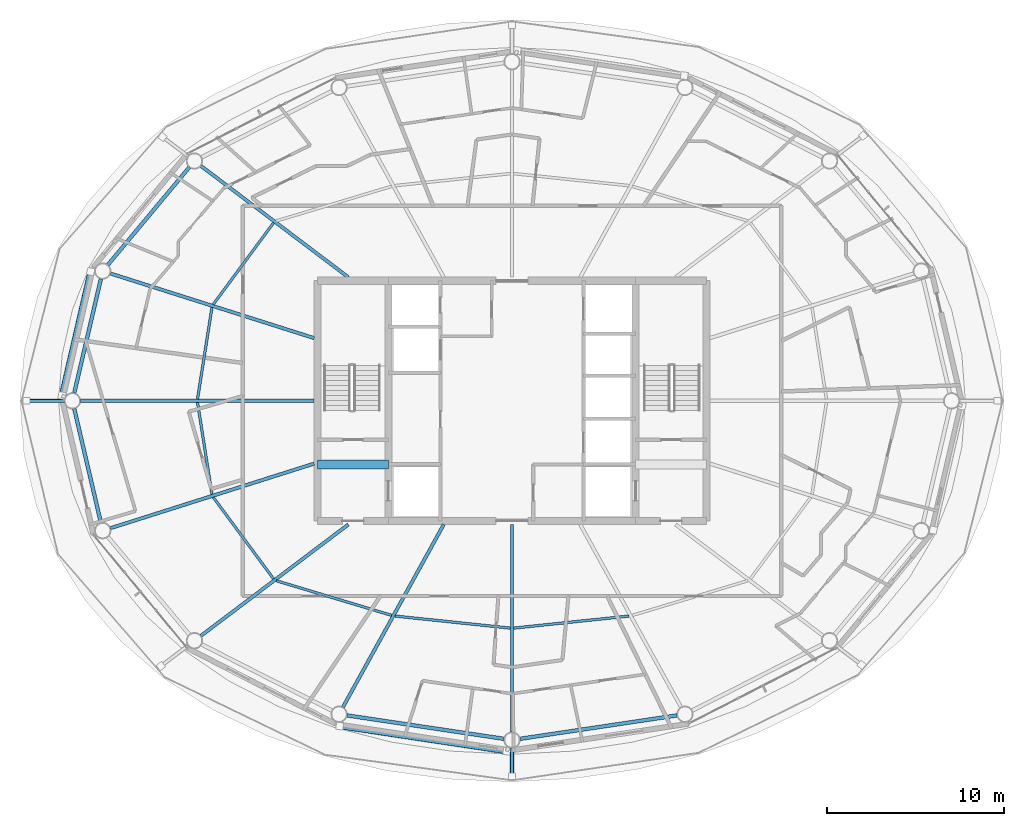
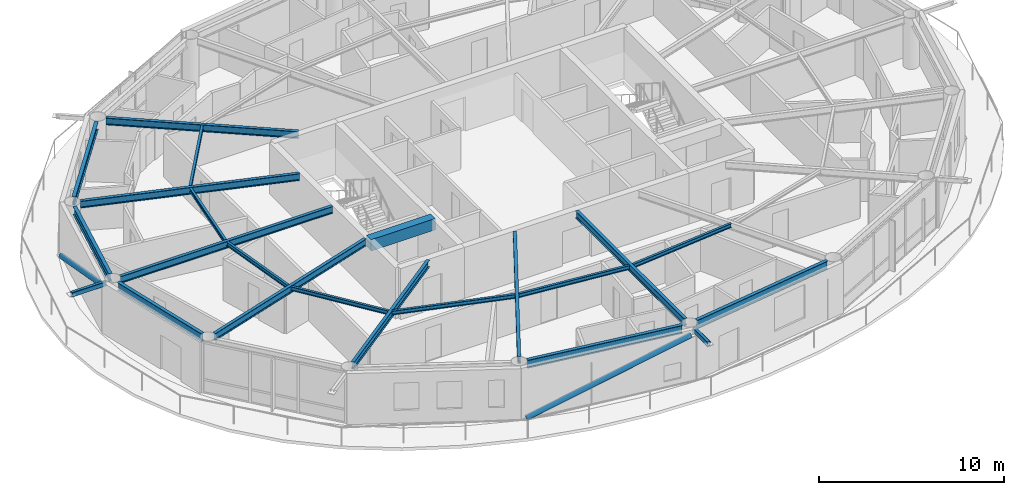
# One storey, part 4 of 23: 20 beams, 4 members.
"""IFC4 building model written with IfcOpenShell, lengths in metres."""

import ifcopenshell
import ifcopenshell.guid

model = None  # the IFC model being written
_history = None  # IfcOwnerHistory: only IFC2X3 demands one
_inside = {}  # id of a spatial element -> (the spatial element, [elements in it])
_under = {}  # id of a project, library or spatial element -> (it, [spatial elements below it])
_declared = {}  # id of a project -> (the project, [libraries it declares])
_typed = {}  # id of a type object -> (the type object, [elements of that type])
_made_of = {}  # id of a material, layer set ... -> (it, [elements and type objects made of it])


def new_model(schema):
    """Start an empty IFC model of exactly this schema.

    Asked for "IFC4X3", IfcOpenShell would pick the latest addendum, in which some entities
    have other attributes; the version numbers below select the first issue.
    IFC2X3 requires an IfcOwnerHistory on every rooted entity: one is made here for all.
    """
    global model, _history
    if schema == "IFC4X3":
        model = ifcopenshell.file(schema_version=(4, 3, 0, 0))
    else:
        model = ifcopenshell.file(schema=schema)
    _inside.clear()
    _under.clear()
    _declared.clear()
    _typed.clear()
    _made_of.clear()
    _history = None
    if model.schema == "IFC2X3":
        org = make("IfcOrganization", Name="unknown")
        user = make(
            "IfcPersonAndOrganization",
            ThePerson=make("IfcPerson", FamilyName="unknown"),
            TheOrganization=org,
        )
        app = make(
            "IfcApplication",
            ApplicationDeveloper=org,
            Version="unknown",
            ApplicationFullName="unknown",
            ApplicationIdentifier="unknown",
        )
        _history = make(
            "IfcOwnerHistory",
            OwningUser=user,
            OwningApplication=app,
            ChangeAction="ADDED",
            CreationDate=0,
        )
    return model


def make(cls, **values):
    """One entity of the class cls with the attributes given. An attribute that is None is left unset."""
    return model.create_entity(
        cls, **{name: value for name, value in values.items() if value is not None}
    )


def rooted(cls, **values):
    """An entity with a GlobalId (a new one), such as an element, a storey or a relation."""
    return make(cls, GlobalId=ifcopenshell.guid.new(), OwnerHistory=_history, **values)


def si_unit(unit_type, name, prefix=None):
    """IfcSIUnit, for example si_unit("LENGTHUNIT", "METRE", prefix="MILLI")."""
    return make("IfcSIUnit", UnitType=unit_type, Prefix=prefix, Name=name)


def assignment(units):
    """IfcUnitAssignment: the units of a project."""
    return None if units is None else make("IfcUnitAssignment", Units=units)


def point(xyz):
    """IfcCartesianPoint."""
    return None if xyz is None else make("IfcCartesianPoint", Coordinates=xyz)


def direction(xyz):
    """IfcDirection."""
    return None if xyz is None else make("IfcDirection", DirectionRatios=xyz)


def frame(location, z_axis=None, x_axis=None):
    """IfcAxis2Placement3D, a coordinate frame: its origin and axes. An axis left out is left unset."""
    return make(
        "IfcAxis2Placement3D",
        Location=point(location),
        Axis=direction(z_axis),
        RefDirection=direction(x_axis),
    )


def frame_2d(location, x_axis=None):
    """IfcAxis2Placement2D, a coordinate frame in the plane: its origin and x axis."""
    return make(
        "IfcAxis2Placement2D", Location=point(location), RefDirection=direction(x_axis)
    )


def origin():
    """The frame at (0, 0, 0) with its axes left unset."""
    return frame((0.0, 0.0, 0.0))


def origin_2d():
    """The frame at (0, 0) in the plane with its x axis left unset."""
    return frame_2d((0.0, 0.0))


def place(relative_to, where):
    """IfcLocalPlacement: puts the frame where relative to a parent placement (None: the world)."""
    return make(
        "IfcLocalPlacement", PlacementRelTo=relative_to, RelativePlacement=where
    )


def context(
    kind, dimensions, precision=None, world=None, true_north=None, identifier=None
):
    """IfcGeometricRepresentationContext, for example the 3D "Model" context."""
    return make(
        "IfcGeometricRepresentationContext",
        ContextIdentifier=identifier,
        ContextType=kind,
        CoordinateSpaceDimension=dimensions,
        Precision=precision,
        WorldCoordinateSystem=world,
        TrueNorth=true_north,
    )


def subcontext(parent, identifier, kind, view, scale=None):
    """IfcGeometricRepresentationSubContext, for example "Body" below "Model"."""
    return make(
        "IfcGeometricRepresentationSubContext",
        ContextIdentifier=identifier,
        ContextType=kind,
        ParentContext=parent,
        TargetScale=scale,
        TargetView=view,
    )


def project(units=None, contexts=None):
    """IfcProject with its units and contexts."""
    return rooted(
        "IfcProject",
        Name="project",
        RepresentationContexts=contexts,
        UnitsInContext=assignment(units),
    )


def spatial(cls, under=None, at=None, **own):
    """A site, building, storey or space (cls), placed at a placement, below another one or the project."""
    s = rooted(cls, ObjectPlacement=at, **own)
    if under is not None:
        _under.setdefault(under.id(), (under, []))[1].append(s)
    return s


def profile(cls, at=None, kind="AREA", **sizes):
    """A parametric profile (cls). Its sizes go by their IFC names, for example OverallWidth=200.0."""
    return make(cls, ProfileType=kind, Position=at, **sizes)


def rectangle(**sizes):
    """IfcRectangleProfileDef."""
    return profile("IfcRectangleProfileDef", **sizes)


def hollow_rectangle(**sizes):
    """IfcRectangleHollowProfileDef."""
    return profile("IfcRectangleHollowProfileDef", **sizes)


def hollow_circle(**sizes):
    """IfcCircleHollowProfileDef."""
    return profile("IfcCircleHollowProfileDef", **sizes)


def i_section(**sizes):
    """IfcIShapeProfileDef."""
    return profile("IfcIShapeProfileDef", **sizes)


def extrude(swept, where, along, depth):
    """IfcExtrudedAreaSolid: the profile swept, set in the frame where, extruded along a direction by depth."""
    return make(
        "IfcExtrudedAreaSolid",
        SweptArea=swept,
        Position=where,
        ExtrudedDirection=direction(along),
        Depth=depth,
    )


def shape(context_of_items, identifier, shape_type, items):
    """IfcShapeRepresentation: the items that make up one representation, for example the "Body"."""
    return make(
        "IfcShapeRepresentation",
        ContextOfItems=context_of_items,
        RepresentationIdentifier=identifier,
        RepresentationType=shape_type,
        Items=items,
    )


def material(Name=None, Category=None):
    """IfcMaterial."""
    return make("IfcMaterial", Name=Name, Category=Category)


def material_profile(
    of_material, cross_section, Name=None, Category=None, Priority=None
):
    """IfcMaterialProfile: a cross section and its material."""
    return make(
        "IfcMaterialProfile",
        Name=Name,
        Material=of_material,
        Profile=cross_section,
        Priority=Priority,
        Category=Category,
    )


def profile_set(profiles, Name=None, composite=None):
    """IfcMaterialProfileSet."""
    return make(
        "IfcMaterialProfileSet",
        Name=Name,
        MaterialProfiles=profiles,
        CompositeProfile=composite,
    )


def made_of(thing, what):
    """Note that an element or type object is made of a material, layer set ...; save() writes the relation."""
    if what is not None:
        _made_of.setdefault(what.id(), (what, []))[1].append(thing)
    return thing


def type_object(cls, material=None, **own):
    """A type object (cls), such as IfcWallType, which elements share."""
    return made_of(rooted(cls, **own), material)


def element(
    cls,
    number,
    at=None,
    inside=None,
    cuts=None,
    type_object=None,
    material=None,
    context=None,
    identifier="Body",
    shape_type=None,
    held_by="IfcProductDefinitionShape",
    body=None,
    shapes=None,
    **own,
):
    """One element of the class cls, such as IfcWall. Its Tag is "e" and its number.

    at: its placement. inside: the storey or other place that contains it. cuts: it is an
    opening in that element (IfcRelVoidsElement). A single representation is given by context,
    identifier, shape_type and body (its items); several are given by shapes. held_by: the class
    of the entity that holds the representations. save() writes the other relations.
    """
    e = rooted(cls, Tag="e%d" % number, ObjectPlacement=at, **own)
    if body is not None:
        shapes = [shape(context, identifier, shape_type, body)]
    if shapes is not None:
        e.Representation = make(held_by, Representations=shapes)
    if inside is not None:
        _inside.setdefault(inside.id(), (inside, []))[1].append(e)
    if cuts is not None:
        rooted(
            "IfcRelVoidsElement", RelatingBuildingElement=cuts, RelatedOpeningElement=e
        )
    if type_object is not None:
        _typed.setdefault(type_object.id(), (type_object, []))[1].append(e)
    return made_of(e, material)


def aggregate(whole, parts):
    """IfcRelAggregates: a whole, such as a stair, and the parts it consists of."""
    return rooted("IfcRelAggregates", RelatingObject=whole, RelatedObjects=parts)


def save(model, path):
    """Write the relations noted so far, then the file.

    IfcRelAggregates (storeys below a building ...), IfcRelContainedInSpatialStructure (elements
    in a storey), IfcRelDefinesByType, IfcRelAssociatesMaterial and IfcRelDeclares: one each for
    every whole, place, type object, material and project.
    """
    for whole, parts in _under.values():
        aggregate(whole, parts)
    for where, things in _inside.values():
        rooted(
            "IfcRelContainedInSpatialStructure",
            RelatedElements=things,
            RelatingStructure=where,
        )
    for kind, things in _typed.values():
        rooted("IfcRelDefinesByType", RelatedObjects=things, RelatingType=kind)
    for what, things in _made_of.values():
        rooted("IfcRelAssociatesMaterial", RelatedObjects=things, RelatingMaterial=what)
    for by, libraries in _declared.values():
        rooted("IfcRelDeclares", RelatingContext=by, RelatedDefinitions=libraries)
    model.write(path)


model = new_model("IFC4")

# Units and contexts
model_context = context("Model", 3, precision=1e-05, world=origin(), true_north=direction((0.0, 1.0)))
body_context = subcontext(model_context, "Body", "Model", "MODEL_VIEW")
ifc_project = project(units=[si_unit("LENGTHUNIT", "METRE"), si_unit("AREAUNIT", "SQUARE_METRE"), si_unit("VOLUMEUNIT", "CUBIC_METRE"), si_unit("PLANEANGLEUNIT", "RADIAN"), si_unit("MASSUNIT", "GRAM", prefix="KILO")], contexts=[model_context])

# Site, building, storey
site_placement = place(None, origin())
site = spatial("IfcSite", under=ifc_project, at=site_placement, CompositionType="ELEMENT")
building_placement = place(site_placement, origin())
building = spatial("IfcBuilding", under=site, at=building_placement, Name="Sarneth Arch Tower", CompositionType="ELEMENT")
storey_placement = place(building_placement, frame((0.0, 0.0, 228.0)))
storey = spatial("IfcBuildingStorey", under=building, at=storey_placement, Name="L58", CompositionType="ELEMENT", Elevation=228.0)

# Beams
ifc_material_1 = material(Name="Steel S355", Category="steel")
ifc_material_profile_1 = material_profile(ifc_material_1, i_section(OverallWidth=0.14794921875, OverallDepth=0.26611328125, WebThickness=0.007568359375, FlangeThickness=0.012939453125, FilletRadius=0.012939453125, at=origin_2d()), Name="W250x44.8")
ifc_profile_set_1 = profile_set([ifc_material_profile_1], Name="Steel S355")
beam_type_1 = type_object("IfcBeamType", Name="BM-JOIST-250", PredefinedType="JOIST", material=ifc_profile_set_1)
beam_1_placement = place(storey_placement, frame((34.5009765625, 52.075439453125, 3.22705078125), z_axis=(-0.594557229879, -0.804053294501, 0.0), x_axis=(0.804053294501, -0.594557229879, 0.0)))
element("IfcBeam", 1, at=beam_1_placement, inside=storey, type_object=beam_type_1, Name="L58 Secondary floor joist 07", PredefinedType="JOIST", context=body_context, shape_type="SweptSolid", body=[
    extrude(i_section(OverallWidth=0.14794921875, OverallDepth=0.26611328125, WebThickness=0.007568359375, FlangeThickness=0.012939453125, FilletRadius=0.012939453125, at=origin_2d()), origin(), (0.0, 0.0, 1.0), 5.74169921875),
])
for number, where, z_axis, x_axis, name in (
    (2, (31.01513671875, 47.286865234375, 3.22705078125), (-0.155421095795, -0.987848309702, 0.0), (0.987848309702, -0.155421095795, 0.0), "L58 Secondary floor joist 08"),
    (3, (30.1982421875, 41.9052734375, 3.22705078125), (0.155421095795, -0.987848309702, 0.0), (0.987848309702, 0.155421095795, 0.0), "L58 Secondary floor joist 09"),
):
    element("IfcBeam", number, at=place(storey_placement, frame(where, z_axis=z_axis, x_axis=x_axis)), inside=storey, type_object=beam_type_1, Name=name, PredefinedType="JOIST", context=body_context, shape_type="SweptSolid", body=[
        extrude(i_section(OverallWidth=0.14794921875, OverallDepth=0.26611328125, WebThickness=0.007568359375, FlangeThickness=0.012939453125, FilletRadius=0.012939453125, at=origin_2d()), origin(), (0.0, 0.0, 1.0), 5.256103515625),
    ])
beam_2_placement = place(storey_placement, frame((31.087158203125, 36.541259765625, 3.22705078125), z_axis=(0.594557229879, -0.804053294501, 0.0), x_axis=(0.804053294501, 0.594557229879, 0.0)))
element("IfcBeam", 4, at=beam_2_placement, inside=storey, type_object=beam_type_1, Name="L58 Secondary floor joist 10", PredefinedType="JOIST", context=body_context, shape_type="SweptSolid", body=[
    extrude(i_section(OverallWidth=0.14794921875, OverallDepth=0.26611328125, WebThickness=0.007568359375, FlangeThickness=0.012939453125, FilletRadius=0.012939453125, at=origin_2d()), origin(), (0.0, 0.0, 1.0), 5.74169921875),
])
beam_3_placement = place(storey_placement, frame((34.64990234375, 31.81982421875, 3.22705078125), z_axis=(0.957725851155, -0.287682453461, 0.0), x_axis=(0.287682453461, 0.957725851155, 0.0)))
element("IfcBeam", 5, at=beam_3_placement, inside=storey, type_object=beam_type_1, Name="L58 Secondary floor joist 11", PredefinedType="JOIST", context=body_context, shape_type="SweptSolid", body=[
    extrude(i_section(OverallWidth=0.14794921875, OverallDepth=0.26611328125, WebThickness=0.007568359375, FlangeThickness=0.012939453125, FilletRadius=0.012939453125, at=origin_2d()), origin(), (0.0, 0.0, 1.0), 6.828125),
])
for number, where, z_axis, x_axis, name in (
    (6, (41.376953125, 29.81787109375, 3.22705078125), (0.994572713015, -0.104043829835, 0.0), (0.104043829835, 0.994572713015, 0.0), "L58 Secondary floor joist 12"),
    (7, (48.095458984375, 29.135009765625, 3.22705078125), (0.994572713015, 0.104043829835, 0.0), (-0.104043829835, 0.994572713015, 0.0), "L58 Secondary floor joist 13"),
):
    element("IfcBeam", number, at=place(storey_placement, frame(where, z_axis=z_axis, x_axis=x_axis)), inside=storey, type_object=beam_type_1, Name=name, PredefinedType="JOIST", context=body_context, shape_type="SweptSolid", body=[
        extrude(i_section(OverallWidth=0.14794921875, OverallDepth=0.26611328125, WebThickness=0.007568359375, FlangeThickness=0.012939453125, FilletRadius=0.012939453125, at=origin_2d()), origin(), (0.0, 0.0, 1.0), 6.563232421875),
    ])
ifc_material_2 = material(Name="Concrete C50/60", Category="concrete")
ifc_material_profile_2 = material_profile(ifc_material_2, rectangle(XDim=0.5, YDim=0.75, at=origin_2d()), Name="RC-500x750")
ifc_profile_set_2 = profile_set([ifc_material_profile_2], Name="Concrete C50/60")
beam_type_2 = type_object("IfcBeamType", Name="BM-LINTEL-RC", PredefinedType="LINTEL", material=ifc_profile_set_2)
beam_4_placement = place(storey_placement, frame((37.0, 38.39990234375, 2.985107421875), z_axis=(1.0, 0.0, 0.0), x_axis=(0.0, 1.0, 0.0)))
element("IfcBeam", 8, at=beam_4_placement, inside=storey, type_object=beam_type_2, Name="L58 Core coupling lintel W", PredefinedType="LINTEL", context=body_context, shape_type="SweptSolid", body=[
    extrude(rectangle(XDim=0.5, YDim=0.75, at=origin_2d()), origin(), (0.0, 0.0, 1.0), 4.0),
])
ifc_material_3 = material(Name="Steel S355", Category="steel")
ifc_material_profile_3 = material_profile(ifc_material_3, i_section(OverallWidth=0.19189453125, OverallDepth=0.462890625, WebThickness=0.010498046875, FlangeThickness=0.017578125, FilletRadius=0.01806640625, at=origin_2d()), Name="W460x89")
ifc_profile_set_3 = profile_set([ifc_material_profile_3], Name="Steel S355")
beam_type_3 = type_object("IfcBeamType", Name="BM-RAD-460B", PredefinedType="BEAM", material=ifc_profile_set_3)
beam_5_placement = place(storey_placement, frame((38.73193359375, 49.0, 3.12841796875), z_axis=(-0.79797356997, 0.602692443647, 0.0), x_axis=(-0.602692443647, -0.79797356997, 0.0)))
element("IfcBeam", 9, at=beam_5_placement, inside=storey, type_object=beam_type_3, Name="L58 Radial floor girder 07", PredefinedType="BEAM", context=body_context, shape_type="SweptSolid", body=[
    extrude(i_section(OverallWidth=0.19189453125, OverallDepth=0.462890625, WebThickness=0.010498046875, FlangeThickness=0.017578125, FilletRadius=0.01806640625, at=origin_2d()), origin(), (0.0, 0.0, 1.0), 10.461669921875),
])
beam_6_placement = place(storey_placement, frame((36.800048828125, 45.5517578125, 3.12841796875), z_axis=(-0.953215615433, 0.302291234563, 0.0), x_axis=(-0.302291234563, -0.953215615433, 0.0)))
element("IfcBeam", 10, at=beam_6_placement, inside=storey, type_object=beam_type_3, Name="L58 Radial floor girder 08", PredefinedType="BEAM", context=body_context, shape_type="SweptSolid", body=[
    extrude(i_section(OverallWidth=0.19189453125, OverallDepth=0.462890625, WebThickness=0.010498046875, FlangeThickness=0.017578125, FilletRadius=0.01806640625, at=origin_2d()), origin(), (0.0, 0.0, 1.0), 12.1064453125),
])
beam_7_placement = place(storey_placement, frame((36.800048828125, 42.0, 3.12841796875), z_axis=(-1.0, 0.0, 0.0), x_axis=(0.0, -1.0, 0.0)))
element("IfcBeam", 11, at=beam_7_placement, inside=storey, type_object=beam_type_3, Name="L58 Radial floor girder 09", PredefinedType="BEAM", context=body_context, shape_type="SweptSolid", body=[
    extrude(i_section(OverallWidth=0.19189453125, OverallDepth=0.462890625, WebThickness=0.010498046875, FlangeThickness=0.017578125, FilletRadius=0.01806640625, at=origin_2d()), origin(), (0.0, 0.0, 1.0), 13.233154296875),
])
beam_8_placement = place(storey_placement, frame((36.800048828125, 38.4482421875, 3.12841796875), z_axis=(-0.953215615433, -0.302291234563, 0.0), x_axis=(0.302291234563, -0.953215615433, 0.0)))
element("IfcBeam", 12, at=beam_8_placement, inside=storey, type_object=beam_type_3, Name="L58 Radial floor girder 10", PredefinedType="BEAM", context=body_context, shape_type="SweptSolid", body=[
    extrude(i_section(OverallWidth=0.19189453125, OverallDepth=0.462890625, WebThickness=0.010498046875, FlangeThickness=0.017578125, FilletRadius=0.01806640625, at=origin_2d()), origin(), (0.0, 0.0, 1.0), 12.1064453125),
])
beam_9_placement = place(storey_placement, frame((38.73193359375, 35.0, 3.12841796875), z_axis=(-0.79797356997, -0.602692443647, 0.0), x_axis=(0.602692443647, -0.79797356997, 0.0)))
element("IfcBeam", 13, at=beam_9_placement, inside=storey, type_object=beam_type_3, Name="L58 Radial floor girder 11", PredefinedType="BEAM", context=body_context, shape_type="SweptSolid", body=[
    extrude(i_section(OverallWidth=0.19189453125, OverallDepth=0.462890625, WebThickness=0.010498046875, FlangeThickness=0.017578125, FilletRadius=0.01806640625, at=origin_2d()), origin(), (0.0, 0.0, 1.0), 10.461669921875),
])
beam_10_placement = place(storey_placement, frame((44.13623046875, 35.0, 3.12841796875), z_axis=(-0.483218265038, -0.875499919094, 0.0), x_axis=(0.875499919094, -0.483218265038, 0.0)))
element("IfcBeam", 14, at=beam_10_placement, inside=storey, type_object=beam_type_3, Name="L58 Radial floor girder 12", PredefinedType="BEAM", context=body_context, shape_type="SweptSolid", body=[
    extrude(i_section(OverallWidth=0.19189453125, OverallDepth=0.462890625, WebThickness=0.010498046875, FlangeThickness=0.017578125, FilletRadius=0.01806640625, at=origin_2d()), origin(), (0.0, 0.0, 1.0), 11.8154296875),
])
beam_11_placement = place(storey_placement, frame((48.0, 35.0, 3.12841796875), z_axis=(0.0, -1.0, 0.0), x_axis=(1.0, 0.0, 0.0)))
element("IfcBeam", 15, at=beam_11_placement, inside=storey, type_object=beam_type_3, Name="L58 Radial floor girder 13", PredefinedType="BEAM", context=body_context, shape_type="SweptSolid", body=[
    extrude(i_section(OverallWidth=0.19189453125, OverallDepth=0.462890625, WebThickness=0.010498046875, FlangeThickness=0.017578125, FilletRadius=0.01806640625, at=origin_2d()), origin(), (0.0, 0.0, 1.0), 11.75),
])
ifc_material_4 = material(Name="Steel S355", Category="steel")
ifc_material_profile_4 = material_profile(ifc_material_4, i_section(OverallWidth=0.2109375, OverallDepth=0.5390625, WebThickness=0.01171875, FlangeThickness=0.018798828125, FilletRadius=0.01806640625, at=origin_2d()), Name="W530x109")
ifc_profile_set_4 = profile_set([ifc_material_profile_4], Name="Steel S355")
beam_type_4 = type_object("IfcBeamType", Name="BM-RAD-530B", PredefinedType="BEAM", material=ifc_profile_set_4)
beam_12_placement = place(storey_placement, frame((29.736572265625, 55.230712890625, 3.090576171875), z_axis=(-0.640390876881, -0.768049168222, 0.0), x_axis=(0.768049168222, -0.640390876881, 0.0)))
element("IfcBeam", 16, at=beam_12_placement, inside=storey, type_object=beam_type_4, Name="L58 Perimeter spandrel beam 07", PredefinedType="BEAM", context=body_context, shape_type="SweptSolid", body=[
    extrude(i_section(OverallWidth=0.2109375, OverallDepth=0.5390625, WebThickness=0.01171875, FlangeThickness=0.018798828125, FilletRadius=0.01806640625, at=origin_2d()), origin(), (0.0, 0.0, 1.0), 7.2099609375),
])
for number, where, z_axis, x_axis, name in (
    (17, (24.72900390625, 48.9091796875, 3.090576171875), (-0.227247037844, -0.973837144389, 0.0), (0.973837144389, -0.227247037844, 0.0), "L58 Perimeter spandrel beam 08"),
    (18, (23.218994140625, 41.561767578125, 3.090576171875), (0.227247037844, -0.973837144389, 0.0), (0.973837144389, 0.227247037844, 0.0), "L58 Perimeter spandrel beam 09"),
):
    element("IfcBeam", number, at=place(storey_placement, frame(where, z_axis=z_axis, x_axis=x_axis)), inside=storey, type_object=beam_type_4, Name=name, PredefinedType="BEAM", context=body_context, shape_type="SweptSolid", body=[
        extrude(i_section(OverallWidth=0.2109375, OverallDepth=0.5390625, WebThickness=0.01171875, FlangeThickness=0.018798828125, FilletRadius=0.01806640625, at=origin_2d()), origin(), (0.0, 0.0, 1.0), 6.644775390625),
    ])
for number, where, z_axis, x_axis, name in (
    (19, (38.654296875, 24.195068359375, 3.090576171875), (0.989041765772, -0.147635990052, 0.0), (0.147635990052, 0.989041765772, 0.0), "L58 Perimeter spandrel beam 12"),
    (20, (48.445068359375, 22.866455078125, 3.090576171875), (0.989041765772, 0.147635990052, 0.0), (-0.147635990052, 0.989041765772, 0.0), "L58 Perimeter spandrel beam 13"),
):
    element("IfcBeam", number, at=place(storey_placement, frame(where, z_axis=z_axis, x_axis=x_axis)), inside=storey, type_object=beam_type_4, Name=name, PredefinedType="BEAM", context=body_context, shape_type="SweptSolid", body=[
        extrude(i_section(OverallWidth=0.2109375, OverallDepth=0.5390625, WebThickness=0.01171875, FlangeThickness=0.018798828125, FilletRadius=0.01806640625, at=origin_2d()), origin(), (0.0, 0.0, 1.0), 8.999267578125),
    ])

# Members
ifc_material_5 = material(Name="Steel S355", Category="steel")
ifc_material_profile_5 = material_profile(ifc_material_5, hollow_rectangle(XDim=0.199951171875, YDim=0.300048828125, WallThickness=0.012451171875, InnerFilletRadius=0.018798828125, OuterFilletRadius=0.03125, at=origin_2d()), Name="RHS300x200x12.5")
ifc_profile_set_5 = profile_set([ifc_material_profile_5], Name="Steel S355")
member_type_1 = type_object("IfcMemberType", Name="MEM-CANT-STRUT", PredefinedType="STRUT", material=ifc_profile_set_5)
member_1_placement = place(storey_placement, frame((22.666748046875, 42.0, 3.199951171875), z_axis=(-1.0, 0.0, 0.0), x_axis=(0.0, -1.0, 0.0)))
element("IfcMember", 21, at=member_1_placement, inside=storey, type_object=member_type_1, Name="L58 Balcony cantilever bracket 09", PredefinedType="STRUT", context=body_context, shape_type="SweptSolid", body=[
    extrude(hollow_rectangle(XDim=0.199951171875, YDim=0.300048828125, WallThickness=0.012451171875, InnerFilletRadius=0.018798828125, OuterFilletRadius=0.03125, at=origin_2d()), origin(), (0.0, 0.0, 1.0), 2.14404296875),
])
member_2_placement = place(storey_placement, frame((48.0, 22.35009765625, 3.199951171875), z_axis=(0.0, -1.0, 0.0), x_axis=(1.0, 0.0, 0.0)))
element("IfcMember", 22, at=member_2_placement, inside=storey, type_object=member_type_1, Name="L58 Balcony cantilever bracket 13", PredefinedType="STRUT", context=body_context, shape_type="SweptSolid", body=[
    extrude(hollow_rectangle(XDim=0.199951171875, YDim=0.300048828125, WallThickness=0.012451171875, InnerFilletRadius=0.018798828125, OuterFilletRadius=0.03125, at=origin_2d()), origin(), (0.0, 0.0, 1.0), 1.606201171875),
])
ifc_material_6 = material(Name="Steel S355", Category="steel")
ifc_material_profile_6 = material_profile(ifc_material_6, hollow_circle(Radius=0.162109375, WallThickness=0.012451171875, at=origin_2d()), Name="CHS324x12.5")
ifc_profile_set_6 = profile_set([ifc_material_profile_6], Name="Steel S355")
member_type_2 = type_object("IfcMemberType", Name="MEM-DIAG-BR3", PredefinedType="BRACE", material=ifc_profile_set_6)
member_3_placement = place(storey_placement, frame((24.148193359375, 49.3154296875, 0.02001953125), z_axis=(-0.207917989892, -0.898749333617, 0.386030756289), x_axis=(0.974268900284, -0.225388797281, 0.0)))
element("IfcMember", 23, at=member_3_placement, inside=storey, type_object=member_type_2, Name="L58 Perimeter frame diagonal 08", PredefinedType="BRACE", context=body_context, shape_type="SweptSolid", body=[
    extrude(hollow_circle(Radius=0.162109375, WallThickness=0.012451171875, at=origin_2d()), origin(), (0.0, 0.0, 1.0), 7.814453125),
])
member_4_placement = place(storey_placement, frame((38.245849609375, 23.588623046875, 0.02001953125), z_axis=(0.943056107878, -0.142001297879, 0.300800280576), x_axis=(0.148897148305, 0.988852688335, 0.0)))
element("IfcMember", 24, at=member_4_placement, inside=storey, type_object=member_type_2, Name="L58 Perimeter frame diagonal 12", PredefinedType="BRACE", context=body_context, shape_type="SweptSolid", body=[
    extrude(hollow_circle(Radius=0.162109375, WallThickness=0.012451171875, at=origin_2d()), origin(), (0.0, 0.0, 1.0), 10.028564453125),
])

save(model, "model.ifc")
